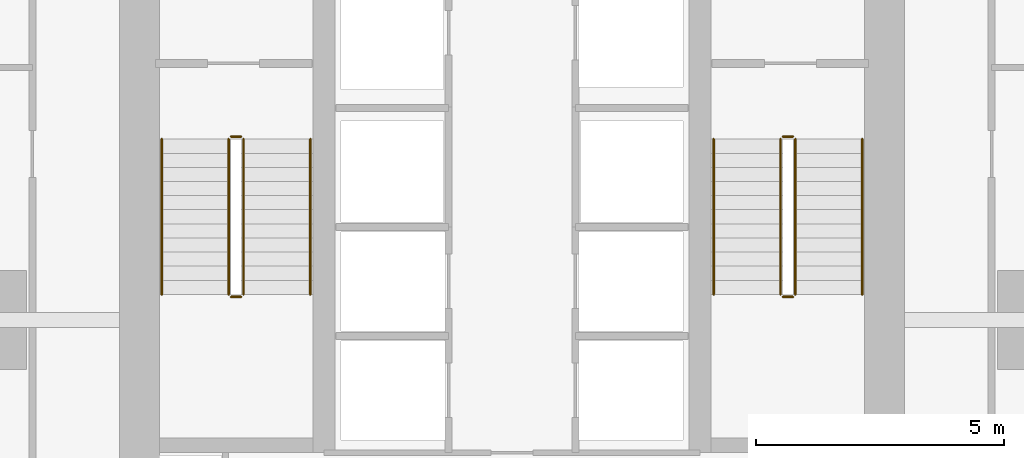
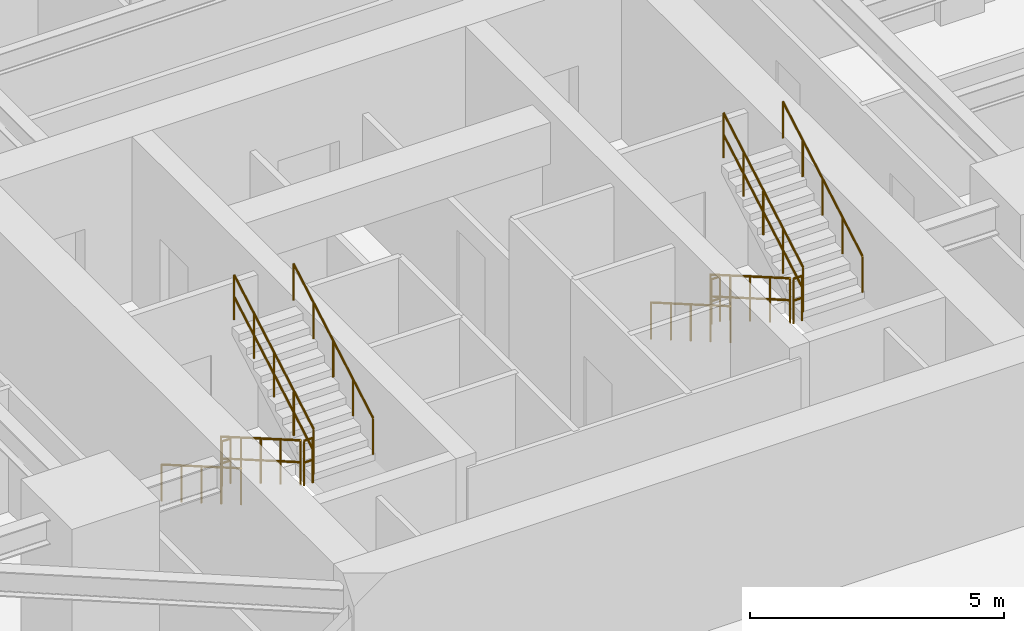
# One storey, part 25 of 26: 12 railings.
"""IFC4 building model written with IfcOpenShell, lengths in metres."""

from ifc_helpers import new_model, si_unit, direction, frame, origin, origin_2d, place, context, subcontext, project, spatial, circle, extrude, material, layer, layer_set, type_object, element, save


model = new_model("IFC4")

# Units and contexts
model_context = context("Model", 3, precision=1e-05, world=origin(), true_north=direction((0.0, 1.0)))
body_context = subcontext(model_context, "Body", "Model", "MODEL_VIEW")
ifc_project = project(units=[si_unit("LENGTHUNIT", "METRE"), si_unit("AREAUNIT", "SQUARE_METRE"), si_unit("VOLUMEUNIT", "CUBIC_METRE"), si_unit("PLANEANGLEUNIT", "RADIAN"), si_unit("MASSUNIT", "GRAM", prefix="KILO")], contexts=[model_context])

# Site, building, storey
site_placement = place(None, origin())
site = spatial("IfcSite", under=ifc_project, at=site_placement, CompositionType="ELEMENT")
building_placement = place(site_placement, origin())
building = spatial("IfcBuilding", under=site, at=building_placement, Name="Krantzveldt Concourse Tower", CompositionType="ELEMENT")
storey_placement = place(building_placement, frame((0.0, 0.0, 113.75)))
storey = spatial("IfcBuildingStorey", under=building, at=storey_placement, Name="L27", CompositionType="ELEMENT", Elevation=113.75)

# Railings
ifc_material = material(Name="Stainless steel 316L", Category="steel")
ifc_layer_1 = layer(ifc_material, 0.06005859375, Name="Stainless steel 316L", Category="steel")
ifc_layer_set_1 = layer_set([ifc_layer_1], Name="Stainless steel 316L (RL-GUARD-1120)")
railing_type_1 = type_object("IfcRailingType", Name="RL-GUARD-1120", PredefinedType="GUARDRAIL", material=ifc_layer_set_1)
railing_1_placement = place(storey_placement, frame((30.280029296875, 19.550048828125, 0.16455078125)))
element("IfcRailing", 1, at=railing_1_placement, inside=storey, type_object=railing_type_1, Name="L27 ST-1 stair guard 1", PredefinedType="GUARDRAIL", context=body_context, shape_type="SweptSolid", body=[
    extrude(circle(Radius=0.02392578125, at=origin_2d()), frame((0.0, 0.0, 1.076171875), z_axis=(0.0, -0.865959834175, 0.500113552702), x_axis=(1.0, 0.0, 0.0)), (0.0, 0.0, 1.0), 3.620361328125),
    extrude(circle(Radius=0.02392578125, at=origin_2d()), frame((0.0, 0.0, 0.550048828125), z_axis=(0.0, -0.865959834175, 0.500113552702), x_axis=(1.0, 0.0, 0.0)), (0.0, 0.0, 1.0), 3.620361328125),
    extrude(circle(Radius=0.02099609375, at=origin_2d()), origin(), (0.0, 0.0, 1.0), 1.052001953125),
    extrude(circle(Radius=0.02099609375, at=origin_2d()), frame((0.0, -0.78369140625, 0.45263671875)), (0.0, 0.0, 1.0), 1.052001953125),
    extrude(circle(Radius=0.02099609375, at=origin_2d()), frame((0.0, -1.5673828125, 0.9052734375)), (0.0, 0.0, 1.0), 1.052001953125),
    extrude(circle(Radius=0.02099609375, at=origin_2d()), frame((0.0, -2.351318359375, 1.35791015625)), (0.0, 0.0, 1.0), 1.052001953125),
    extrude(circle(Radius=0.02099609375, at=origin_2d()), frame((0.0, -3.135009765625, 1.810546875)), (0.0, 0.0, 1.0), 1.052001953125),
])
railing_2_placement = place(storey_placement, frame((30.330078125, 16.364990234375, 1.97509765625)))
element("IfcRailing", 2, at=railing_2_placement, inside=storey, type_object=railing_type_1, Name="L27 ST-1 stair guard 2", PredefinedType="GUARDRAIL", context=body_context, shape_type="SweptSolid", body=[
    extrude(circle(Radius=0.02392578125, at=origin_2d()), frame((0.0, 0.0, 1.076171875), z_axis=(1.0, 0.0, 0.0), x_axis=(0.0, 1.0, 0.0)), (0.0, 0.0, 1.0), 0.199951171875),
    extrude(circle(Radius=0.02392578125, at=origin_2d()), frame((0.0, 0.0, 0.550048828125), z_axis=(1.0, 0.0, 0.0), x_axis=(0.0, 1.0, 0.0)), (0.0, 0.0, 1.0), 0.199951171875),
    extrude(circle(Radius=0.02099609375, at=origin_2d()), origin(), (0.0, 0.0, 1.0), 1.052001953125),
    extrude(circle(Radius=0.02099609375, at=origin_2d()), frame((0.199951171875, 0.0, 0.0)), (0.0, 0.0, 1.0), 1.052001953125),
])
railing_3_placement = place(storey_placement, frame((30.580078125, 16.4150390625, 2.1396484375)))
element("IfcRailing", 3, at=railing_3_placement, inside=storey, type_object=railing_type_1, Name="L27 ST-1 stair guard 3", PredefinedType="GUARDRAIL", context=body_context, shape_type="SweptSolid", body=[
    extrude(circle(Radius=0.02392578125, at=origin_2d()), frame((0.0, 0.0, 1.076171875), z_axis=(0.0, 0.865989039225, 0.500062979975), x_axis=(-1.0, 0.0, 0.0)), (0.0, 0.0, 1.0), 3.6201171875),
    extrude(circle(Radius=0.02392578125, at=origin_2d()), frame((0.0, 0.0, 0.550048828125), z_axis=(0.0, 0.865989039225, 0.500062979975), x_axis=(-1.0, 0.0, 0.0)), (0.0, 0.0, 1.0), 3.6201171875),
    extrude(circle(Radius=0.02099609375, at=origin_2d()), origin(), (0.0, 0.0, 1.0), 1.052001953125),
    extrude(circle(Radius=0.02099609375, at=origin_2d()), frame((0.0, 0.78369140625, 0.45263671875)), (0.0, 0.0, 1.0), 1.052001953125),
    extrude(circle(Radius=0.02099609375, at=origin_2d()), frame((0.0, 1.5673828125, 0.9052734375)), (0.0, 0.0, 1.0), 1.052001953125),
    extrude(circle(Radius=0.02099609375, at=origin_2d()), frame((0.0, 2.351318359375, 1.357666015625)), (0.0, 0.0, 1.0), 1.052001953125),
    extrude(circle(Radius=0.02099609375, at=origin_2d()), frame((0.0, 3.135009765625, 1.810302734375)), (0.0, 0.0, 1.0), 1.052001953125),
])
railing_4_placement = place(storey_placement, frame((30.330078125, 19.60009765625, 0.0)))
element("IfcRailing", 4, at=railing_4_placement, inside=storey, type_object=railing_type_1, Name="L27 ST-1 stair guard 4", PredefinedType="GUARDRAIL", context=body_context, shape_type="SweptSolid", body=[
    extrude(circle(Radius=0.02392578125, at=origin_2d()), frame((0.0, 0.0, 1.076171875), z_axis=(1.0, 0.0, 0.0), x_axis=(0.0, 1.0, 0.0)), (0.0, 0.0, 1.0), 0.199951171875),
    extrude(circle(Radius=0.02392578125, at=origin_2d()), frame((0.0, 0.0, 0.550048828125), z_axis=(1.0, 0.0, 0.0), x_axis=(0.0, 1.0, 0.0)), (0.0, 0.0, 1.0), 0.199951171875),
    extrude(circle(Radius=0.02099609375, at=origin_2d()), origin(), (0.0, 0.0, 1.0), 1.052001953125),
    extrude(circle(Radius=0.02099609375, at=origin_2d()), frame((0.199951171875, 0.0, 0.0)), (0.0, 0.0, 1.0), 1.052001953125),
])
railing_5_placement = place(storey_placement, frame((41.419921875, 19.550048828125, 0.16455078125)))
element("IfcRailing", 5, at=railing_5_placement, inside=storey, type_object=railing_type_1, Name="L27 ST-2 stair guard 1", PredefinedType="GUARDRAIL", context=body_context, shape_type="SweptSolid", body=[
    extrude(circle(Radius=0.02392578125, at=origin_2d()), frame((0.0, 0.0, 1.076171875), z_axis=(0.0, -0.865959834175, 0.500113552702), x_axis=(1.0, 0.0, 0.0)), (0.0, 0.0, 1.0), 3.620361328125),
    extrude(circle(Radius=0.02392578125, at=origin_2d()), frame((0.0, 0.0, 0.550048828125), z_axis=(0.0, -0.865959834175, 0.500113552702), x_axis=(1.0, 0.0, 0.0)), (0.0, 0.0, 1.0), 3.620361328125),
    extrude(circle(Radius=0.02099609375, at=origin_2d()), origin(), (0.0, 0.0, 1.0), 1.052001953125),
    extrude(circle(Radius=0.02099609375, at=origin_2d()), frame((0.0, -0.78369140625, 0.45263671875)), (0.0, 0.0, 1.0), 1.052001953125),
    extrude(circle(Radius=0.02099609375, at=origin_2d()), frame((0.0, -1.5673828125, 0.9052734375)), (0.0, 0.0, 1.0), 1.052001953125),
    extrude(circle(Radius=0.02099609375, at=origin_2d()), frame((0.0, -2.351318359375, 1.35791015625)), (0.0, 0.0, 1.0), 1.052001953125),
    extrude(circle(Radius=0.02099609375, at=origin_2d()), frame((0.0, -3.135009765625, 1.810546875)), (0.0, 0.0, 1.0), 1.052001953125),
])
railing_6_placement = place(storey_placement, frame((41.469970703125, 16.364990234375, 1.97509765625)))
element("IfcRailing", 6, at=railing_6_placement, inside=storey, type_object=railing_type_1, Name="L27 ST-2 stair guard 2", PredefinedType="GUARDRAIL", context=body_context, shape_type="SweptSolid", body=[
    extrude(circle(Radius=0.02392578125, at=origin_2d()), frame((0.0, 0.0, 1.076171875), z_axis=(1.0, 0.0, 0.0), x_axis=(0.0, 1.0, 0.0)), (0.0, 0.0, 1.0), 0.199951171875),
    extrude(circle(Radius=0.02392578125, at=origin_2d()), frame((0.0, 0.0, 0.550048828125), z_axis=(1.0, 0.0, 0.0), x_axis=(0.0, 1.0, 0.0)), (0.0, 0.0, 1.0), 0.199951171875),
    extrude(circle(Radius=0.02099609375, at=origin_2d()), origin(), (0.0, 0.0, 1.0), 1.052001953125),
    extrude(circle(Radius=0.02099609375, at=origin_2d()), frame((0.199951171875, 0.0, 0.0)), (0.0, 0.0, 1.0), 1.052001953125),
])
railing_7_placement = place(storey_placement, frame((41.719970703125, 16.4150390625, 2.1396484375)))
element("IfcRailing", 7, at=railing_7_placement, inside=storey, type_object=railing_type_1, Name="L27 ST-2 stair guard 3", PredefinedType="GUARDRAIL", context=body_context, shape_type="SweptSolid", body=[
    extrude(circle(Radius=0.02392578125, at=origin_2d()), frame((0.0, 0.0, 1.076171875), z_axis=(0.0, 0.865989039225, 0.500062979975), x_axis=(-1.0, 0.0, 0.0)), (0.0, 0.0, 1.0), 3.6201171875),
    extrude(circle(Radius=0.02392578125, at=origin_2d()), frame((0.0, 0.0, 0.550048828125), z_axis=(0.0, 0.865989039225, 0.500062979975), x_axis=(-1.0, 0.0, 0.0)), (0.0, 0.0, 1.0), 3.6201171875),
    extrude(circle(Radius=0.02099609375, at=origin_2d()), origin(), (0.0, 0.0, 1.0), 1.052001953125),
    extrude(circle(Radius=0.02099609375, at=origin_2d()), frame((0.0, 0.78369140625, 0.45263671875)), (0.0, 0.0, 1.0), 1.052001953125),
    extrude(circle(Radius=0.02099609375, at=origin_2d()), frame((0.0, 1.5673828125, 0.9052734375)), (0.0, 0.0, 1.0), 1.052001953125),
    extrude(circle(Radius=0.02099609375, at=origin_2d()), frame((0.0, 2.351318359375, 1.357666015625)), (0.0, 0.0, 1.0), 1.052001953125),
    extrude(circle(Radius=0.02099609375, at=origin_2d()), frame((0.0, 3.135009765625, 1.810302734375)), (0.0, 0.0, 1.0), 1.052001953125),
])
railing_8_placement = place(storey_placement, frame((41.469970703125, 19.60009765625, 0.0)))
element("IfcRailing", 8, at=railing_8_placement, inside=storey, type_object=railing_type_1, Name="L27 ST-2 stair guard 4", PredefinedType="GUARDRAIL", context=body_context, shape_type="SweptSolid", body=[
    extrude(circle(Radius=0.02392578125, at=origin_2d()), frame((0.0, 0.0, 1.076171875), z_axis=(1.0, 0.0, 0.0), x_axis=(0.0, 1.0, 0.0)), (0.0, 0.0, 1.0), 0.199951171875),
    extrude(circle(Radius=0.02392578125, at=origin_2d()), frame((0.0, 0.0, 0.550048828125), z_axis=(1.0, 0.0, 0.0), x_axis=(0.0, 1.0, 0.0)), (0.0, 0.0, 1.0), 0.199951171875),
    extrude(circle(Radius=0.02099609375, at=origin_2d()), origin(), (0.0, 0.0, 1.0), 1.052001953125),
    extrude(circle(Radius=0.02099609375, at=origin_2d()), frame((0.199951171875, 0.0, 0.0)), (0.0, 0.0, 1.0), 1.052001953125),
])
ifc_layer_2 = layer(ifc_material, 0.050048828125, Name="Stainless steel 316L", Category="steel")
ifc_layer_set_2 = layer_set([ifc_layer_2], Name="Stainless steel 316L (RL-HANDRAIL-920)")
railing_type_2 = type_object("IfcRailingType", Name="RL-HANDRAIL-920", PredefinedType="HANDRAIL", material=ifc_layer_set_2)
railing_9_placement = place(storey_placement, frame((28.929931640625, 19.550048828125, 0.16455078125)))
element("IfcRailing", 9, at=railing_9_placement, inside=storey, type_object=railing_type_2, Name="L27 ST-1 stair handrail 1", PredefinedType="HANDRAIL", context=body_context, shape_type="SweptSolid", body=[
    extrude(circle(Radius=0.02392578125, at=origin_2d()), frame((0.0, 0.0, 0.8759765625), z_axis=(0.0, -0.865959834175, 0.500113552702), x_axis=(1.0, 0.0, 0.0)), (0.0, 0.0, 1.0), 3.620361328125),
    extrude(circle(Radius=0.02099609375, at=origin_2d()), origin(), (0.0, 0.0, 1.0), 0.851806640625),
    extrude(circle(Radius=0.02099609375, at=origin_2d()), frame((0.0, -0.78369140625, 0.45263671875)), (0.0, 0.0, 1.0), 0.851806640625),
    extrude(circle(Radius=0.02099609375, at=origin_2d()), frame((0.0, -1.5673828125, 0.9052734375)), (0.0, 0.0, 1.0), 0.851806640625),
    extrude(circle(Radius=0.02099609375, at=origin_2d()), frame((0.0, -2.351318359375, 1.35791015625)), (0.0, 0.0, 1.0), 0.851806640625),
    extrude(circle(Radius=0.02099609375, at=origin_2d()), frame((0.0, -3.135009765625, 1.810546875)), (0.0, 0.0, 1.0), 0.851806640625),
])
railing_10_placement = place(storey_placement, frame((31.929931640625, 16.4150390625, 2.1396484375)))
element("IfcRailing", 10, at=railing_10_placement, inside=storey, type_object=railing_type_2, Name="L27 ST-1 stair handrail 2", PredefinedType="HANDRAIL", context=body_context, shape_type="SweptSolid", body=[
    extrude(circle(Radius=0.02392578125, at=origin_2d()), frame((0.0, 0.0, 0.8759765625), z_axis=(0.0, 0.865989039225, 0.500062979975), x_axis=(-1.0, 0.0, 0.0)), (0.0, 0.0, 1.0), 3.6201171875),
    extrude(circle(Radius=0.02099609375, at=origin_2d()), origin(), (0.0, 0.0, 1.0), 0.851806640625),
    extrude(circle(Radius=0.02099609375, at=origin_2d()), frame((0.0, 0.78369140625, 0.45263671875)), (0.0, 0.0, 1.0), 0.851806640625),
    extrude(circle(Radius=0.02099609375, at=origin_2d()), frame((0.0, 1.5673828125, 0.9052734375)), (0.0, 0.0, 1.0), 0.851806640625),
    extrude(circle(Radius=0.02099609375, at=origin_2d()), frame((0.0, 2.351318359375, 1.357666015625)), (0.0, 0.0, 1.0), 0.851806640625),
    extrude(circle(Radius=0.02099609375, at=origin_2d()), frame((0.0, 3.135009765625, 1.810302734375)), (0.0, 0.0, 1.0), 0.851806640625),
])
railing_11_placement = place(storey_placement, frame((40.070068359375, 19.550048828125, 0.16455078125)))
element("IfcRailing", 11, at=railing_11_placement, inside=storey, type_object=railing_type_2, Name="L27 ST-2 stair handrail 1", PredefinedType="HANDRAIL", context=body_context, shape_type="SweptSolid", body=[
    extrude(circle(Radius=0.02392578125, at=origin_2d()), frame((0.0, 0.0, 0.8759765625), z_axis=(0.0, -0.865959834175, 0.500113552702), x_axis=(1.0, 0.0, 0.0)), (0.0, 0.0, 1.0), 3.620361328125),
    extrude(circle(Radius=0.02099609375, at=origin_2d()), origin(), (0.0, 0.0, 1.0), 0.851806640625),
    extrude(circle(Radius=0.02099609375, at=origin_2d()), frame((0.0, -0.78369140625, 0.45263671875)), (0.0, 0.0, 1.0), 0.851806640625),
    extrude(circle(Radius=0.02099609375, at=origin_2d()), frame((0.0, -1.5673828125, 0.9052734375)), (0.0, 0.0, 1.0), 0.851806640625),
    extrude(circle(Radius=0.02099609375, at=origin_2d()), frame((0.0, -2.351318359375, 1.35791015625)), (0.0, 0.0, 1.0), 0.851806640625),
    extrude(circle(Radius=0.02099609375, at=origin_2d()), frame((0.0, -3.135009765625, 1.810546875)), (0.0, 0.0, 1.0), 0.851806640625),
])
railing_12_placement = place(storey_placement, frame((43.070068359375, 16.4150390625, 2.1396484375)))
element("IfcRailing", 12, at=railing_12_placement, inside=storey, type_object=railing_type_2, Name="L27 ST-2 stair handrail 2", PredefinedType="HANDRAIL", context=body_context, shape_type="SweptSolid", body=[
    extrude(circle(Radius=0.02392578125, at=origin_2d()), frame((0.0, 0.0, 0.8759765625), z_axis=(0.0, 0.865989039225, 0.500062979975), x_axis=(-1.0, 0.0, 0.0)), (0.0, 0.0, 1.0), 3.6201171875),
    extrude(circle(Radius=0.02099609375, at=origin_2d()), origin(), (0.0, 0.0, 1.0), 0.851806640625),
    extrude(circle(Radius=0.02099609375, at=origin_2d()), frame((0.0, 0.78369140625, 0.45263671875)), (0.0, 0.0, 1.0), 0.851806640625),
    extrude(circle(Radius=0.02099609375, at=origin_2d()), frame((0.0, 1.5673828125, 0.9052734375)), (0.0, 0.0, 1.0), 0.851806640625),
    extrude(circle(Radius=0.02099609375, at=origin_2d()), frame((0.0, 2.351318359375, 1.357666015625)), (0.0, 0.0, 1.0), 0.851806640625),
    extrude(circle(Radius=0.02099609375, at=origin_2d()), frame((0.0, 3.135009765625, 1.810302734375)), (0.0, 0.0, 1.0), 0.851806640625),
])

save(model, "model.ifc")
